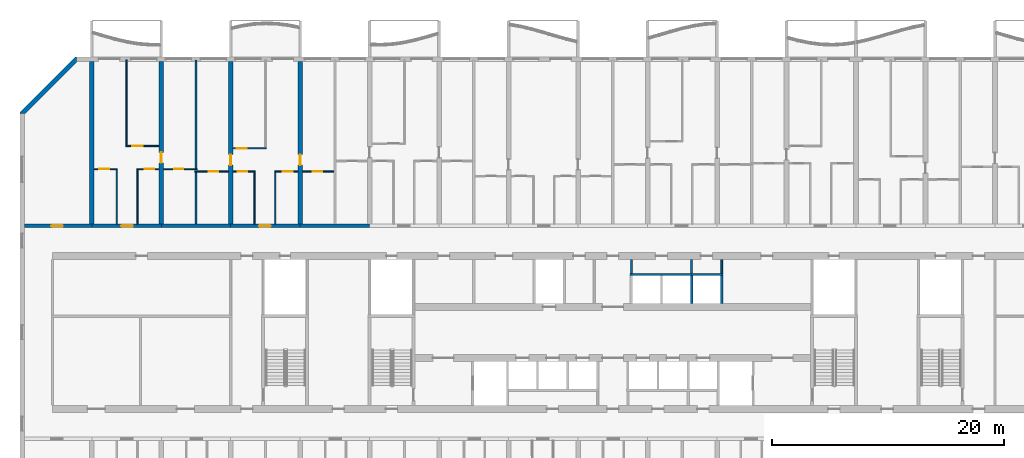
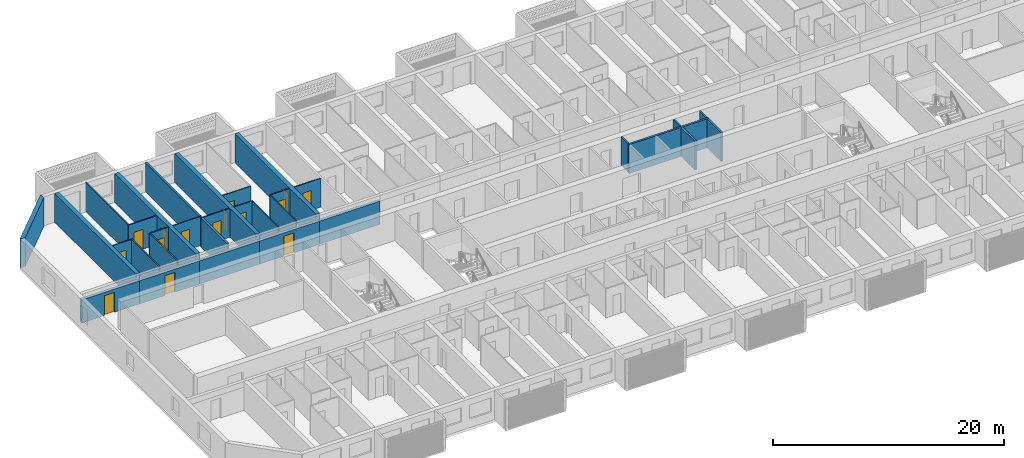
# One storey, part 10 of 38: 32 walls, 15 doors, 15 openings.
"""IFC4 building model written with IfcOpenShell, lengths in metres."""

from ifc_helpers import new_model, si_unit, direction, frame, frame_2d, origin, place, context, subcontext, project, spatial, polyline, rectangle, outline, extrude, material, layer, layer_set, type_object, element, fill, save


model = new_model("IFC4")

# Units and contexts
model_context = context("Model", 3, precision=1e-05, world=origin(), true_north=direction((0.0, 1.0)))
body_context = subcontext(model_context, "Body", "Model", "MODEL_VIEW")
ifc_project = project(units=[si_unit("LENGTHUNIT", "METRE"), si_unit("AREAUNIT", "SQUARE_METRE"), si_unit("VOLUMEUNIT", "CUBIC_METRE"), si_unit("PLANEANGLEUNIT", "RADIAN"), si_unit("MASSUNIT", "GRAM", prefix="KILO")], contexts=[model_context])

# Site, building, storey
site_placement = place(None, origin())
site = spatial("IfcSite", under=ifc_project, at=site_placement, CompositionType="ELEMENT")
building_placement = place(site_placement, origin())
building = spatial("IfcBuilding", under=site, at=building_placement, Name="Poui Terraces", CompositionType="ELEMENT")
storey_placement = place(building_placement, frame((0.0, 0.0, 43.199951171875)))
storey = spatial("IfcBuildingStorey", under=building, at=storey_placement, Name="L11", CompositionType="ELEMENT", Elevation=43.199951171875)

# Wall
ifc_material_1 = material(Name="Fire-rated plasterboard wall")
ifc_layer_1 = layer(ifc_material_1, 0.14990234375)
ifc_layer_set_1 = layer_set([ifc_layer_1], Name="Fire-rated plasterboard wall")
wall_type_1 = type_object("IfcWallType", Name="CORRIDOR WALL 150", PredefinedType="PARTITIONING", material=ifc_layer_set_1)
wall_1_placement = place(storey_placement, frame((52.60009765625, 26.300048828125, 0.0), z_axis=(0.0, 0.0, 1.0), x_axis=(0.0, 1.0, 0.0)))
element("IfcWall", 1, at=wall_1_placement, inside=storey, type_object=wall_type_1, Name="CORRIDOR WALL 150", PredefinedType="PARTITIONING", context=body_context, shape_type="SweptSolid", body=[
    extrude(rectangle(XDim=1.18994140625, YDim=0.14990234375, at=frame_2d((0.594970703125, 0.0))), origin(), (0.0, 0.0, 1.0), 3.050048828125),
])

# Wall, opening, door
ifc_material_2 = material(Name="Concrete 80 MPa", Category="concrete")
ifc_layer_2 = layer(ifc_material_2, 0.300048828125)
ifc_layer_set_2 = layer_set([ifc_layer_2], Name="Concrete 80 MPa")
wall_type_2 = type_object("IfcWallType", Name="CORRIDOR WALL 300 80MPa", PredefinedType="SHEAR", material=ifc_layer_set_2)
wall_2_placement = place(storey_placement, frame((0.199951171875, 30.39990234375, 0.0), z_axis=(0.0, 0.0, 1.0), x_axis=(1.0, 0.0, 0.0)))
wall_2 = element("IfcWall", 2, at=wall_2_placement, inside=storey, type_object=wall_type_2, Name="CORRIDOR WALL LINE E BAY 1", PredefinedType="SHEAR", context=body_context, shape_type="SweptSolid", body=[
    extrude(rectangle(XDim=5.800048828125, YDim=0.300048828125, at=frame_2d((2.89990234375, 0.0))), origin(), (0.0, 0.0, 1.0), 2.449951171875),
])
opening_1_placement = place(wall_2_placement, frame((2.300048828125, 0.0, 0.0)))
opening_1 = element("IfcOpeningElement", 3, at=opening_1_placement, cuts=wall_2, Name="Opening D100", PredefinedType="OPENING", context=body_context, shape_type="SweptSolid", body=[
    extrude(rectangle(XDim=1.0, YDim=2.10009765625, at=frame_2d((0.5, 1.050048828125))), frame((0.0, 0.16015625, 0.0), z_axis=(0.0, -1.0, 0.0), x_axis=(1.0, 0.0, 0.0)), (0.0, 0.0, 1.0), 0.320068359375),
])
ifc_material_3 = material(Name="Solid core timber door", Category="wood")
door_type_1 = type_object("IfcDoorType", Name="ACCESSIBLE INTERNAL DOOR 1000 X 2100", OperationType="NOTDEFINED", PredefinedType="DOOR", material=ifc_material_3)
door_1_placement = place(opening_1_placement, origin())
door_1 = element("IfcDoor", 4, at=door_1_placement, inside=storey, type_object=door_type_1, Name="ACCESSIBLE INTERNAL DOOR 031", OperationType="SINGLE_SWING_LEFT", OverallHeight=2.10009765625, OverallWidth=1.0, PredefinedType="DOOR", context=body_context, shape_type="SweptSolid", body=[
    extrude(rectangle(XDim=1.0, YDim=2.10009765625, at=frame_2d((0.5, 1.050048828125))), frame((0.0, 0.02490234375, 0.0), z_axis=(0.0, -1.0, 0.0), x_axis=(1.0, 0.0, 0.0)), (0.0, 0.0, 1.0), 0.050048828125),
])
fill(opening_1, door_1)

wall_3_placement = place(storey_placement, frame((6.0, 30.39990234375, 0.0), z_axis=(0.0, 0.0, 1.0), x_axis=(1.0, 0.0, 0.0)))
wall_3 = element("IfcWall", 5, at=wall_3_placement, inside=storey, type_object=wall_type_2, Name="CORRIDOR WALL LINE E BAY 2", PredefinedType="SHEAR", context=body_context, shape_type="SweptSolid", body=[
    extrude(rectangle(XDim=6.0, YDim=0.300048828125, at=frame_2d((3.0, 0.0))), origin(), (0.0, 0.0, 1.0), 2.449951171875),
])
opening_2_placement = place(wall_3_placement, frame((2.550048828125, 0.0, 0.0)))
opening_2 = element("IfcOpeningElement", 6, at=opening_2_placement, cuts=wall_3, Name="Opening FD30S", PredefinedType="OPENING", context=body_context, shape_type="SweptSolid", body=[
    extrude(rectangle(XDim=1.0, YDim=2.10009765625, at=frame_2d((0.5, 1.050048828125))), frame((0.0, 0.16015625, 0.0), z_axis=(0.0, -1.0, 0.0), x_axis=(1.0, 0.0, 0.0)), (0.0, 0.0, 1.0), 0.320068359375),
])
ifc_material_4 = material(Name="Steel fire door", Category="steel")
door_type_2 = type_object("IfcDoorType", Name="FLAT ENTRANCE DOOR 1000 X 2100", OperationType="NOTDEFINED", PredefinedType="DOOR", material=ifc_material_4)
door_2_placement = place(opening_2_placement, origin())
door_2 = element("IfcDoor", 7, at=door_2_placement, inside=storey, type_object=door_type_2, Name="FLAT ENTRANCE DOOR 034", OperationType="SINGLE_SWING_RIGHT", OverallHeight=2.10009765625, OverallWidth=1.0, PredefinedType="DOOR", context=body_context, shape_type="SweptSolid", body=[
    extrude(rectangle(XDim=1.0, YDim=2.10009765625, at=frame_2d((0.5, 1.050048828125))), frame((0.0, 0.02490234375, 0.0), z_axis=(0.0, -1.0, 0.0), x_axis=(1.0, 0.0, 0.0)), (0.0, 0.0, 1.0), 0.050048828125),
])
fill(opening_2, door_2)

# Wall
wall_4_placement = place(storey_placement, frame((12.0, 30.39990234375, 0.0), z_axis=(0.0, 0.0, 1.0), x_axis=(1.0, 0.0, 0.0)))
element("IfcWall", 8, at=wall_4_placement, inside=storey, type_object=wall_type_2, Name="CORRIDOR WALL LINE E BAY 3", PredefinedType="SHEAR", context=body_context, shape_type="SweptSolid", body=[
    extrude(rectangle(XDim=6.0, YDim=0.300048828125, at=frame_2d((3.0, 0.0))), origin(), (0.0, 0.0, 1.0), 2.449951171875),
])

# Wall, opening, door
wall_5_placement = place(storey_placement, frame((18.0, 30.39990234375, 0.0), z_axis=(0.0, 0.0, 1.0), x_axis=(1.0, 0.0, 0.0)))
wall_5 = element("IfcWall", 9, at=wall_5_placement, inside=storey, type_object=wall_type_2, Name="CORRIDOR WALL LINE E BAY 4", PredefinedType="SHEAR", context=body_context, shape_type="SweptSolid", body=[
    extrude(rectangle(XDim=6.0, YDim=0.300048828125, at=frame_2d((3.0, 0.0))), origin(), (0.0, 0.0, 1.0), 2.449951171875),
])
opening_3_placement = place(wall_5_placement, frame((2.449951171875, 0.0, 0.0)))
opening_3 = element("IfcOpeningElement", 10, at=opening_3_placement, cuts=wall_5, Name="Opening FD30S", PredefinedType="OPENING", context=body_context, shape_type="SweptSolid", body=[
    extrude(rectangle(XDim=1.0, YDim=2.10009765625, at=frame_2d((0.5, 1.050048828125))), frame((0.0, 0.16015625, 0.0), z_axis=(0.0, -1.0, 0.0), x_axis=(1.0, 0.0, 0.0)), (0.0, 0.0, 1.0), 0.320068359375),
])
door_3_placement = place(opening_3_placement, origin())
door_3 = element("IfcDoor", 11, at=door_3_placement, inside=storey, type_object=door_type_2, Name="FLAT ENTRANCE DOOR 043", OperationType="SINGLE_SWING_LEFT", OverallHeight=2.10009765625, OverallWidth=1.0, PredefinedType="DOOR", context=body_context, shape_type="SweptSolid", body=[
    extrude(rectangle(XDim=1.0, YDim=2.10009765625, at=frame_2d((0.5, 1.050048828125))), frame((0.0, 0.02490234375, 0.0), z_axis=(0.0, -1.0, 0.0), x_axis=(1.0, 0.0, 0.0)), (0.0, 0.0, 1.0), 0.050048828125),
])
fill(opening_3, door_3)

# Walls
wall_6_placement = place(storey_placement, frame((24.0, 30.39990234375, 0.0), z_axis=(0.0, 0.0, 1.0), x_axis=(1.0, 0.0, 0.0)))
element("IfcWall", 12, at=wall_6_placement, inside=storey, type_object=wall_type_2, Name="CORRIDOR WALL LINE E BAY 5", PredefinedType="SHEAR", context=body_context, shape_type="SweptSolid", body=[
    extrude(rectangle(XDim=6.0, YDim=0.300048828125, at=frame_2d((3.0, 0.0))), origin(), (0.0, 0.0, 1.0), 2.449951171875),
])
ifc_layer_3 = layer(ifc_material_2, 0.39990234375)
ifc_layer_set_3 = layer_set([ifc_layer_3], Name="Concrete 80 MPa")
wall_type_3 = type_object("IfcWallType", Name="CROSS WALL 400 80MPa", PredefinedType="SHEAR", material=ifc_layer_set_3)
wall_7_placement = place(storey_placement, frame((6.0, 30.550048828125, 0.0), z_axis=(0.0, 0.0, 1.0), x_axis=(0.0, 1.0, 0.0)))
element("IfcWall", 13, at=wall_7_placement, inside=storey, type_object=wall_type_3, Name="CROSS WALL LINE 2 NORTH", PredefinedType="SHEAR", context=body_context, shape_type="SweptSolid", body=[
    extrude(rectangle(XDim=14.050048828125, YDim=0.39990234375, at=frame_2d((7.02490234375, 0.0))), origin(), (0.0, 0.0, 1.0), 3.050048828125),
])

# Wall, opening, door
wall_8_placement = place(storey_placement, frame((12.0, 30.550048828125, 0.0), z_axis=(0.0, 0.0, 1.0), x_axis=(0.0, 1.0, 0.0)))
wall_8 = element("IfcWall", 14, at=wall_8_placement, inside=storey, type_object=wall_type_3, Name="CROSS WALL LINE 3 NORTH", PredefinedType="SHEAR", context=body_context, shape_type="SweptSolid", body=[
    extrude(rectangle(XDim=14.050048828125, YDim=0.39990234375, at=frame_2d((7.02490234375, 0.0))), origin(), (0.0, 0.0, 1.0), 3.050048828125),
])
opening_4_placement = place(wall_8_placement, frame((5.300048828125, 0.0, 0.0)))
opening_4 = element("IfcOpeningElement", 15, at=opening_4_placement, cuts=wall_8, Name="Opening D90", PredefinedType="OPENING", context=body_context, shape_type="SweptSolid", body=[
    extrude(rectangle(XDim=0.89990234375, YDim=2.10009765625, at=frame_2d((0.449951171875, 1.050048828125))), frame((0.0, 0.2099609375, 0.0), z_axis=(0.0, -1.0, 0.0), x_axis=(1.0, 0.0, 0.0)), (0.0, 0.0, 1.0), 0.419921875),
])
door_type_3 = type_object("IfcDoorType", Name="INTERNAL DOOR 900 X 2100", OperationType="NOTDEFINED", PredefinedType="DOOR", material=ifc_material_3)
door_4_placement = place(opening_4_placement, frame((0.89990234375, 0.0, 0.0), z_axis=(0.0, 0.0, 1.0), x_axis=(-1.0, 0.0, 0.0)))
door_4 = element("IfcDoor", 16, at=door_4_placement, inside=storey, type_object=door_type_3, Name="INTERNAL DOOR 037", OperationType="SINGLE_SWING_RIGHT", OverallHeight=2.10009765625, OverallWidth=0.89990234375, PredefinedType="DOOR", context=body_context, shape_type="SweptSolid", body=[
    extrude(rectangle(XDim=0.89990234375, YDim=2.10009765625, at=frame_2d((0.449951171875, 1.050048828125))), frame((0.0, 0.02490234375, 0.0), z_axis=(0.0, -1.0, 0.0), x_axis=(1.0, 0.0, 0.0)), (0.0, 0.0, 1.0), 0.050048828125),
])
fill(opening_4, door_4)

wall_9_placement = place(storey_placement, frame((18.0, 30.550048828125, 0.0), z_axis=(0.0, 0.0, 1.0), x_axis=(0.0, 1.0, 0.0)))
wall_9 = element("IfcWall", 17, at=wall_9_placement, inside=storey, type_object=wall_type_3, Name="CROSS WALL LINE 4 NORTH", PredefinedType="SHEAR", context=body_context, shape_type="SweptSolid", body=[
    extrude(rectangle(XDim=14.050048828125, YDim=0.39990234375, at=frame_2d((7.02490234375, 0.0))), origin(), (0.0, 0.0, 1.0), 3.050048828125),
])
opening_5_placement = place(wall_9_placement, frame((5.10009765625, 0.0, 0.0)))
opening_5 = element("IfcOpeningElement", 18, at=opening_5_placement, cuts=wall_9, Name="Opening D90", PredefinedType="OPENING", context=body_context, shape_type="SweptSolid", body=[
    extrude(rectangle(XDim=0.89990234375, YDim=2.10009765625, at=frame_2d((0.449951171875, 1.050048828125))), frame((0.0, 0.2099609375, 0.0), z_axis=(0.0, -1.0, 0.0), x_axis=(1.0, 0.0, 0.0)), (0.0, 0.0, 1.0), 0.419921875),
])
door_5_placement = place(opening_5_placement, origin())
door_5 = element("IfcDoor", 19, at=door_5_placement, inside=storey, type_object=door_type_3, Name="INTERNAL DOOR 040", OperationType="SINGLE_SWING_LEFT", OverallHeight=2.10009765625, OverallWidth=0.89990234375, PredefinedType="DOOR", context=body_context, shape_type="SweptSolid", body=[
    extrude(rectangle(XDim=0.89990234375, YDim=2.10009765625, at=frame_2d((0.449951171875, 1.050048828125))), frame((0.0, 0.02490234375, 0.0), z_axis=(0.0, -1.0, 0.0), x_axis=(1.0, 0.0, 0.0)), (0.0, 0.0, 1.0), 0.050048828125),
])
fill(opening_5, door_5)

wall_10_placement = place(storey_placement, frame((24.0, 30.550048828125, 0.0), z_axis=(0.0, 0.0, 1.0), x_axis=(0.0, 1.0, 0.0)))
wall_10 = element("IfcWall", 20, at=wall_10_placement, inside=storey, type_object=wall_type_3, Name="CROSS WALL LINE 5 NORTH", PredefinedType="SHEAR", context=body_context, shape_type="SweptSolid", body=[
    extrude(rectangle(XDim=14.050048828125, YDim=0.39990234375, at=frame_2d((7.02490234375, 0.0))), origin(), (0.0, 0.0, 1.0), 3.050048828125),
])
opening_6_placement = place(wall_10_placement, frame((5.10009765625, 0.0, 0.0)))
opening_6 = element("IfcOpeningElement", 21, at=opening_6_placement, cuts=wall_10, Name="Opening D90", PredefinedType="OPENING", context=body_context, shape_type="SweptSolid", body=[
    extrude(rectangle(XDim=0.89990234375, YDim=2.10009765625, at=frame_2d((0.449951171875, 1.050048828125))), frame((0.0, 0.2099609375, 0.0), z_axis=(0.0, -1.0, 0.0), x_axis=(1.0, 0.0, 0.0)), (0.0, 0.0, 1.0), 0.419921875),
])
door_6_placement = place(opening_6_placement, frame((0.89990234375, 0.0, 0.0), z_axis=(0.0, 0.0, 1.0), x_axis=(-1.0, 0.0, 0.0)))
door_6 = element("IfcDoor", 22, at=door_6_placement, inside=storey, type_object=door_type_3, Name="INTERNAL DOOR 045", OperationType="SINGLE_SWING_RIGHT", OverallHeight=2.10009765625, OverallWidth=0.89990234375, PredefinedType="DOOR", context=body_context, shape_type="SweptSolid", body=[
    extrude(rectangle(XDim=0.89990234375, YDim=2.10009765625, at=frame_2d((0.449951171875, 1.050048828125))), frame((0.0, 0.02490234375, 0.0), z_axis=(0.0, -1.0, 0.0), x_axis=(1.0, 0.0, 0.0)), (0.0, 0.0, 1.0), 0.050048828125),
])
fill(opening_6, door_6)

ifc_material_5 = material(Name="Plasterboard partition")
ifc_layer_4 = layer(ifc_material_5, 0.10009765625)
ifc_layer_set_4 = layer_set([ifc_layer_4], Name="Plasterboard partition")
wall_type_4 = type_object("IfcWallType", Name="FLAT PARTITION 100", PredefinedType="PARTITIONING", material=ifc_layer_set_4)
wall_11_placement = place(storey_placement, frame((14.89990234375, 35.10009765625, 0.0), z_axis=(0.0, 0.0, 1.0), x_axis=(1.0, 0.0, 0.0)))
wall_11 = element("IfcWall", 23, at=wall_11_placement, inside=storey, type_object=wall_type_4, Name="FLAT PARTITION 100", PredefinedType="PARTITIONING", context=body_context, shape_type="SweptSolid", body=[
    extrude(rectangle(XDim=2.89013671875, YDim=0.10009765625, at=frame_2d((1.445068359375, 0.0))), origin(), (0.0, 0.0, 1.0), 3.050048828125),
])
opening_7_placement = place(wall_11_placement, frame((1.199951171875, 0.0, 0.0)))
opening_7 = element("IfcOpeningElement", 24, at=opening_7_placement, cuts=wall_11, Name="Opening D80", PredefinedType="OPENING", context=body_context, shape_type="SweptSolid", body=[
    extrude(rectangle(XDim=0.800048828125, YDim=2.10009765625, at=frame_2d((0.39990234375, 1.050048828125))), frame((0.0, 0.06005859375, 0.0), z_axis=(0.0, -1.0, 0.0), x_axis=(1.0, 0.0, 0.0)), (0.0, 0.0, 1.0), 0.1201171875),
])
door_type_4 = type_object("IfcDoorType", Name="BATHROOM, LAUNDRY AND STORE DOOR 800 X 2100", OperationType="NOTDEFINED", PredefinedType="DOOR", material=ifc_material_3)
door_7_placement = place(opening_7_placement, frame((0.800048828125, 0.0, 0.0), z_axis=(0.0, 0.0, 1.0), x_axis=(-1.0, 0.0, 0.0)))
door_7 = element("IfcDoor", 25, at=door_7_placement, inside=storey, type_object=door_type_4, Name="BATHROOM, LAUNDRY AND STORE DOOR 038", OperationType="SINGLE_SWING_RIGHT", OverallHeight=2.10009765625, OverallWidth=0.800048828125, PredefinedType="DOOR", context=body_context, shape_type="SweptSolid", body=[
    extrude(rectangle(XDim=0.800048828125, YDim=2.10009765625, at=frame_2d((0.39990234375, 1.050048828125))), frame((0.0, 0.02490234375, 0.0), z_axis=(0.0, -1.0, 0.0), x_axis=(1.0, 0.0, 0.0)), (0.0, 0.0, 1.0), 0.050048828125),
])
fill(opening_7, door_7)

wall_12_placement = place(storey_placement, frame((18.2099609375, 35.10009765625, 0.0), z_axis=(0.0, 0.0, 1.0), x_axis=(1.0, 0.0, 0.0)))
wall_12 = element("IfcWall", 26, at=wall_12_placement, inside=storey, type_object=wall_type_4, Name="FLAT PARTITION 100", PredefinedType="PARTITIONING", context=body_context, shape_type="SweptSolid", body=[
    extrude(rectangle(XDim=1.89013671875, YDim=0.10009765625, at=frame_2d((0.945068359375, 0.0))), origin(), (0.0, 0.0, 1.0), 3.050048828125),
])
opening_8_placement = place(wall_12_placement, frame((0.4150390625, 0.0, 0.0)))
opening_8 = element("IfcOpeningElement", 27, at=opening_8_placement, cuts=wall_12, Name="Opening D80", PredefinedType="OPENING", context=body_context, shape_type="SweptSolid", body=[
    extrude(rectangle(XDim=0.800048828125, YDim=2.10009765625, at=frame_2d((0.39990234375, 1.050048828125))), frame((0.0, 0.06005859375, 0.0), z_axis=(0.0, -1.0, 0.0), x_axis=(1.0, 0.0, 0.0)), (0.0, 0.0, 1.0), 0.1201171875),
])
door_8_placement = place(opening_8_placement, frame((0.800048828125, 0.0, 0.0), z_axis=(0.0, 0.0, 1.0), x_axis=(-1.0, 0.0, 0.0)))
door_8 = element("IfcDoor", 28, at=door_8_placement, inside=storey, type_object=door_type_4, Name="BATHROOM, LAUNDRY AND STORE DOOR 042", OperationType="SINGLE_SWING_RIGHT", OverallHeight=2.10009765625, OverallWidth=0.800048828125, PredefinedType="DOOR", context=body_context, shape_type="SweptSolid", body=[
    extrude(rectangle(XDim=0.800048828125, YDim=2.10009765625, at=frame_2d((0.39990234375, 1.050048828125))), frame((0.0, 0.02490234375, 0.0), z_axis=(0.0, -1.0, 0.0), x_axis=(1.0, 0.0, 0.0)), (0.0, 0.0, 1.0), 0.050048828125),
])
fill(opening_8, door_8)

wall_13_placement = place(storey_placement, frame((21.800048828125, 35.10009765625, 0.0), z_axis=(0.0, 0.0, 1.0), x_axis=(1.0, 0.0, 0.0)))
wall_13 = element("IfcWall", 29, at=wall_13_placement, inside=storey, type_object=wall_type_4, Name="FLAT PARTITION 100", PredefinedType="PARTITIONING", context=body_context, shape_type="SweptSolid", body=[
    extrude(rectangle(XDim=1.989990234375, YDim=0.10009765625, at=frame_2d((0.9951171875, 0.0))), origin(), (0.0, 0.0, 1.0), 3.050048828125),
])
opening_9_placement = place(wall_13_placement, frame((0.675048828125, 0.0, 0.0)))
opening_9 = element("IfcOpeningElement", 30, at=opening_9_placement, cuts=wall_13, Name="Opening D90", PredefinedType="OPENING", context=body_context, shape_type="SweptSolid", body=[
    extrude(rectangle(XDim=0.89990234375, YDim=2.10009765625, at=frame_2d((0.449951171875, 1.050048828125))), frame((0.0, 0.06005859375, 0.0), z_axis=(0.0, -1.0, 0.0), x_axis=(1.0, 0.0, 0.0)), (0.0, 0.0, 1.0), 0.1201171875),
])
door_9_placement = place(opening_9_placement, frame((0.89990234375, 0.0, 0.0), z_axis=(0.0, 0.0, 1.0), x_axis=(-1.0, 0.0, 0.0)))
door_9 = element("IfcDoor", 31, at=door_9_placement, inside=storey, type_object=door_type_3, Name="INTERNAL DOOR 044", OperationType="SINGLE_SWING_LEFT", OverallHeight=2.10009765625, OverallWidth=0.89990234375, PredefinedType="DOOR", context=body_context, shape_type="SweptSolid", body=[
    extrude(rectangle(XDim=0.89990234375, YDim=2.10009765625, at=frame_2d((0.449951171875, 1.050048828125))), frame((0.0, 0.02490234375, 0.0), z_axis=(0.0, -1.0, 0.0), x_axis=(1.0, 0.0, 0.0)), (0.0, 0.0, 1.0), 0.050048828125),
])
fill(opening_9, door_9)

wall_14_placement = place(storey_placement, frame((24.2099609375, 35.10009765625, 0.0), z_axis=(0.0, 0.0, 1.0), x_axis=(1.0, 0.0, 0.0)))
wall_14 = element("IfcWall", 32, at=wall_14_placement, inside=storey, type_object=wall_type_4, Name="FLAT PARTITION 100", PredefinedType="PARTITIONING", context=body_context, shape_type="SweptSolid", body=[
    extrude(rectangle(XDim=2.68994140625, YDim=0.10009765625, at=frame_2d((1.344970703125, 0.0))), origin(), (0.0, 0.0, 1.0), 3.050048828125),
])
opening_10_placement = place(wall_14_placement, frame((0.889892578125, 0.0, 0.0)))
opening_10 = element("IfcOpeningElement", 33, at=opening_10_placement, cuts=wall_14, Name="Opening D80", PredefinedType="OPENING", context=body_context, shape_type="SweptSolid", body=[
    extrude(rectangle(XDim=0.800048828125, YDim=2.10009765625, at=frame_2d((0.39990234375, 1.050048828125))), frame((0.0, 0.06005859375, 0.0), z_axis=(0.0, -1.0, 0.0), x_axis=(1.0, 0.0, 0.0)), (0.0, 0.0, 1.0), 0.1201171875),
])
door_10_placement = place(opening_10_placement, frame((0.800048828125, 0.0, 0.0), z_axis=(0.0, 0.0, 1.0), x_axis=(-1.0, 0.0, 0.0)))
door_10 = element("IfcDoor", 34, at=door_10_placement, inside=storey, type_object=door_type_4, Name="BATHROOM, LAUNDRY AND STORE DOOR 039", OperationType="SINGLE_SWING_RIGHT", OverallHeight=2.10009765625, OverallWidth=0.800048828125, PredefinedType="DOOR", context=body_context, shape_type="SweptSolid", body=[
    extrude(rectangle(XDim=0.800048828125, YDim=2.10009765625, at=frame_2d((0.39990234375, 1.050048828125))), frame((0.0, 0.02490234375, 0.0), z_axis=(0.0, -1.0, 0.0), x_axis=(1.0, 0.0, 0.0)), (0.0, 0.0, 1.0), 0.050048828125),
])
fill(opening_10, door_10)

wall_15_placement = place(storey_placement, frame((6.2099609375, 35.300048828125, 0.0), z_axis=(0.0, 0.0, 1.0), x_axis=(1.0, 0.0, 0.0)))
wall_15 = element("IfcWall", 35, at=wall_15_placement, inside=storey, type_object=wall_type_4, Name="FLAT PARTITION 100", PredefinedType="PARTITIONING", context=body_context, shape_type="SweptSolid", body=[
    extrude(rectangle(XDim=1.989990234375, YDim=0.10009765625, at=frame_2d((0.9951171875, 0.0))), origin(), (0.0, 0.0, 1.0), 3.050048828125),
])
opening_11_placement = place(wall_15_placement, frame((0.4150390625, 0.0, 0.0)))
opening_11 = element("IfcOpeningElement", 36, at=opening_11_placement, cuts=wall_15, Name="Opening D90", PredefinedType="OPENING", context=body_context, shape_type="SweptSolid", body=[
    extrude(rectangle(XDim=0.89990234375, YDim=2.10009765625, at=frame_2d((0.449951171875, 1.050048828125))), frame((0.0, 0.06005859375, 0.0), z_axis=(0.0, -1.0, 0.0), x_axis=(1.0, 0.0, 0.0)), (0.0, 0.0, 1.0), 0.1201171875),
])
door_11_placement = place(opening_11_placement, frame((0.89990234375, 0.0, 0.0), z_axis=(0.0, 0.0, 1.0), x_axis=(-1.0, 0.0, 0.0)))
door_11 = element("IfcDoor", 37, at=door_11_placement, inside=storey, type_object=door_type_3, Name="INTERNAL DOOR 033", OperationType="SINGLE_SWING_LEFT", OverallHeight=2.10009765625, OverallWidth=0.89990234375, PredefinedType="DOOR", context=body_context, shape_type="SweptSolid", body=[
    extrude(rectangle(XDim=0.89990234375, YDim=2.10009765625, at=frame_2d((0.449951171875, 1.050048828125))), frame((0.0, 0.02490234375, 0.0), z_axis=(0.0, -1.0, 0.0), x_axis=(1.0, 0.0, 0.0)), (0.0, 0.0, 1.0), 0.050048828125),
])
fill(opening_11, door_11)

wall_16_placement = place(storey_placement, frame((9.89990234375, 35.300048828125, 0.0), z_axis=(0.0, 0.0, 1.0), x_axis=(1.0, 0.0, 0.0)))
wall_16 = element("IfcWall", 38, at=wall_16_placement, inside=storey, type_object=wall_type_4, Name="FLAT PARTITION 100", PredefinedType="PARTITIONING", context=body_context, shape_type="SweptSolid", body=[
    extrude(rectangle(XDim=1.89013671875, YDim=0.10009765625, at=frame_2d((0.945068359375, 0.0))), origin(), (0.0, 0.0, 1.0), 3.050048828125),
])
opening_12_placement = place(wall_16_placement, frame((0.675048828125, 0.0, 0.0)))
opening_12 = element("IfcOpeningElement", 39, at=opening_12_placement, cuts=wall_16, Name="Opening D80", PredefinedType="OPENING", context=body_context, shape_type="SweptSolid", body=[
    extrude(rectangle(XDim=0.800048828125, YDim=2.10009765625, at=frame_2d((0.39990234375, 1.050048828125))), frame((0.0, 0.06005859375, 0.0), z_axis=(0.0, -1.0, 0.0), x_axis=(1.0, 0.0, 0.0)), (0.0, 0.0, 1.0), 0.1201171875),
])
door_12_placement = place(opening_12_placement, frame((0.800048828125, 0.0, 0.0), z_axis=(0.0, 0.0, 1.0), x_axis=(-1.0, 0.0, 0.0)))
door_12 = element("IfcDoor", 40, at=door_12_placement, inside=storey, type_object=door_type_4, Name="BATHROOM, LAUNDRY AND STORE DOOR 036", OperationType="SINGLE_SWING_RIGHT", OverallHeight=2.10009765625, OverallWidth=0.800048828125, PredefinedType="DOOR", context=body_context, shape_type="SweptSolid", body=[
    extrude(rectangle(XDim=0.800048828125, YDim=2.10009765625, at=frame_2d((0.39990234375, 1.050048828125))), frame((0.0, 0.02490234375, 0.0), z_axis=(0.0, -1.0, 0.0), x_axis=(1.0, 0.0, 0.0)), (0.0, 0.0, 1.0), 0.050048828125),
])
fill(opening_12, door_12)

wall_17_placement = place(storey_placement, frame((12.2099609375, 35.300048828125, 0.0), z_axis=(0.0, 0.0, 1.0), x_axis=(1.0, 0.0, 0.0)))
wall_17 = element("IfcWall", 41, at=wall_17_placement, inside=storey, type_object=wall_type_4, Name="FLAT PARTITION 100", PredefinedType="PARTITIONING", context=body_context, shape_type="SweptSolid", body=[
    extrude(rectangle(XDim=2.89013671875, YDim=0.10009765625, at=frame_2d((1.445068359375, 0.0))), origin(), (0.0, 0.0, 1.0), 3.050048828125),
])
opening_13_placement = place(wall_17_placement, frame((0.889892578125, 0.0, 0.0)))
opening_13 = element("IfcOpeningElement", 42, at=opening_13_placement, cuts=wall_17, Name="Opening D80", PredefinedType="OPENING", context=body_context, shape_type="SweptSolid", body=[
    extrude(rectangle(XDim=0.800048828125, YDim=2.10009765625, at=frame_2d((0.39990234375, 1.050048828125))), frame((0.0, 0.06005859375, 0.0), z_axis=(0.0, -1.0, 0.0), x_axis=(1.0, 0.0, 0.0)), (0.0, 0.0, 1.0), 0.1201171875),
])
door_13_placement = place(opening_13_placement, frame((0.800048828125, 0.0, 0.0), z_axis=(0.0, 0.0, 1.0), x_axis=(-1.0, 0.0, 0.0)))
door_13 = element("IfcDoor", 43, at=door_13_placement, inside=storey, type_object=door_type_4, Name="BATHROOM, LAUNDRY AND STORE DOOR 032", OperationType="SINGLE_SWING_LEFT", OverallHeight=2.10009765625, OverallWidth=0.800048828125, PredefinedType="DOOR", context=body_context, shape_type="SweptSolid", body=[
    extrude(rectangle(XDim=0.800048828125, YDim=2.10009765625, at=frame_2d((0.39990234375, 1.050048828125))), frame((0.0, 0.02490234375, 0.0), z_axis=(0.0, -1.0, 0.0), x_axis=(1.0, 0.0, 0.0)), (0.0, 0.0, 1.0), 0.050048828125),
])
fill(opening_13, door_13)

wall_18_placement = place(storey_placement, frame((18.2099609375, 37.10009765625, 0.0), z_axis=(0.0, 0.0, 1.0), x_axis=(1.0, 0.0, 0.0)))
wall_18 = element("IfcWall", 44, at=wall_18_placement, inside=storey, type_object=wall_type_4, Name="FLAT PARTITION 100", PredefinedType="PARTITIONING", context=body_context, shape_type="SweptSolid", body=[
    extrude(rectangle(XDim=2.840087890625, YDim=0.10009765625, at=frame_2d((1.419921875, 0.0))), origin(), (0.0, 0.0, 1.0), 3.050048828125),
])
opening_14_placement = place(wall_18_placement, frame((0.2900390625, 0.0, 0.0)))
opening_14 = element("IfcOpeningElement", 45, at=opening_14_placement, cuts=wall_18, Name="Opening D90", PredefinedType="OPENING", context=body_context, shape_type="SweptSolid", body=[
    extrude(rectangle(XDim=0.89990234375, YDim=2.10009765625, at=frame_2d((0.449951171875, 1.050048828125))), frame((0.0, 0.06005859375, 0.0), z_axis=(0.0, -1.0, 0.0), x_axis=(1.0, 0.0, 0.0)), (0.0, 0.0, 1.0), 0.1201171875),
])
door_14_placement = place(opening_14_placement, frame((0.89990234375, 0.0, 0.0), z_axis=(0.0, 0.0, 1.0), x_axis=(-1.0, 0.0, 0.0)))
door_14 = element("IfcDoor", 46, at=door_14_placement, inside=storey, type_object=door_type_3, Name="INTERNAL DOOR 041", OperationType="SINGLE_SWING_LEFT", OverallHeight=2.10009765625, OverallWidth=0.89990234375, PredefinedType="DOOR", context=body_context, shape_type="SweptSolid", body=[
    extrude(rectangle(XDim=0.89990234375, YDim=2.10009765625, at=frame_2d((0.449951171875, 1.050048828125))), frame((0.0, 0.02490234375, 0.0), z_axis=(0.0, -1.0, 0.0), x_axis=(1.0, 0.0, 0.0)), (0.0, 0.0, 1.0), 0.050048828125),
])
fill(opening_14, door_14)

wall_19_placement = place(storey_placement, frame((8.949951171875, 37.300048828125, 0.0), z_axis=(0.0, 0.0, 1.0), x_axis=(1.0, 0.0, 0.0)))
wall_19 = element("IfcWall", 47, at=wall_19_placement, inside=storey, type_object=wall_type_4, Name="FLAT PARTITION 100", PredefinedType="PARTITIONING", context=body_context, shape_type="SweptSolid", body=[
    extrude(rectangle(XDim=2.840087890625, YDim=0.10009765625, at=frame_2d((1.419921875, 0.0))), origin(), (0.0, 0.0, 1.0), 3.050048828125),
])
opening_15_placement = place(wall_19_placement, frame((0.550048828125, 0.0, 0.0)))
opening_15 = element("IfcOpeningElement", 48, at=opening_15_placement, cuts=wall_19, Name="Opening D90", PredefinedType="OPENING", context=body_context, shape_type="SweptSolid", body=[
    extrude(rectangle(XDim=0.89990234375, YDim=2.10009765625, at=frame_2d((0.449951171875, 1.050048828125))), frame((0.0, 0.06005859375, 0.0), z_axis=(0.0, -1.0, 0.0), x_axis=(1.0, 0.0, 0.0)), (0.0, 0.0, 1.0), 0.1201171875),
])
door_15_placement = place(opening_15_placement, frame((0.89990234375, 0.0, 0.0), z_axis=(0.0, 0.0, 1.0), x_axis=(-1.0, 0.0, 0.0)))
door_15 = element("IfcDoor", 49, at=door_15_placement, inside=storey, type_object=door_type_3, Name="INTERNAL DOOR 035", OperationType="SINGLE_SWING_LEFT", OverallHeight=2.10009765625, OverallWidth=0.89990234375, PredefinedType="DOOR", context=body_context, shape_type="SweptSolid", body=[
    extrude(rectangle(XDim=0.89990234375, YDim=2.10009765625, at=frame_2d((0.449951171875, 1.050048828125))), frame((0.0, 0.02490234375, 0.0), z_axis=(0.0, -1.0, 0.0), x_axis=(1.0, 0.0, 0.0)), (0.0, 0.0, 1.0), 0.050048828125),
])
fill(opening_15, door_15)

# Walls
wall_20_placement = place(storey_placement, frame((8.14990234375, 30.56005859375, 0.0), z_axis=(0.0, 0.0, 1.0), x_axis=(0.0, 1.0, 0.0)))
element("IfcWall", 50, at=wall_20_placement, inside=storey, type_object=wall_type_4, Name="FLAT PARTITION 100", PredefinedType="PARTITIONING", context=body_context, shape_type="SweptSolid", body=[
    extrude(rectangle(XDim=4.68994140625, YDim=0.10009765625, at=frame_2d((2.344970703125, 0.0))), origin(), (0.0, 0.0, 1.0), 3.050048828125),
])
wall_21_placement = place(storey_placement, frame((9.0, 37.35009765625, 0.0), z_axis=(0.0, 0.0, 1.0), x_axis=(0.0, 1.0, 0.0)))
element("IfcWall", 51, at=wall_21_placement, inside=storey, type_object=wall_type_4, Name="FLAT PARTITION 100", PredefinedType="PARTITIONING", context=body_context, shape_type="SweptSolid", body=[
    extrude(rectangle(XDim=7.389892578125, YDim=0.10009765625, at=frame_2d((3.69482421875, 0.0))), origin(), (0.0, 0.0, 1.0), 3.050048828125),
])
wall_22_placement = place(storey_placement, frame((9.949951171875, 30.56005859375, 0.0), z_axis=(0.0, 0.0, 1.0), x_axis=(0.0, 1.0, 0.0)))
element("IfcWall", 52, at=wall_22_placement, inside=storey, type_object=wall_type_4, Name="FLAT PARTITION 100", PredefinedType="PARTITIONING", context=body_context, shape_type="SweptSolid", body=[
    extrude(rectangle(XDim=4.68994140625, YDim=0.10009765625, at=frame_2d((2.344970703125, 0.0))), origin(), (0.0, 0.0, 1.0), 3.050048828125),
])
for number, where, z_axis, x_axis, name in (
    (53, (20.050048828125, 30.56005859375, 0.0), (0.0, 0.0, 1.0), (0.0, 1.0, 0.0), "FLAT PARTITION 100"),
    (54, (21.85009765625, 30.56005859375, 0.0), (0.0, 0.0, 1.0), (0.0, 1.0, 0.0), "FLAT PARTITION 100"),
):
    element("IfcWall", number, at=place(storey_placement, frame(where, z_axis=z_axis, x_axis=x_axis)), inside=storey, type_object=wall_type_4, Name=name, PredefinedType="PARTITIONING", context=body_context, shape_type="SweptSolid", body=[
        extrude(rectangle(XDim=4.489990234375, YDim=0.10009765625, at=frame_2d((2.2451171875, 0.0))), origin(), (0.0, 0.0, 1.0), 3.050048828125),
    ])
ifc_material_6 = material(Name="Fire-rated masonry wall", Category="masonry")
ifc_layer_5 = layer(ifc_material_6, 0.199951171875)
ifc_layer_set_5 = layer_set([ifc_layer_5], Name="Fire-rated masonry wall")
wall_type_5 = type_object("IfcWallType", Name="FLAT PARTY WALL 200", PredefinedType="PARTITIONING", material=ifc_layer_set_5)
wall_23_placement = place(storey_placement, frame((15.0, 30.56005859375, 0.0), z_axis=(0.0, 0.0, 1.0), x_axis=(0.0, 1.0, 0.0)))
element("IfcWall", 55, at=wall_23_placement, inside=storey, type_object=wall_type_5, Name="FLAT PARTY WALL 200", PredefinedType="PARTITIONING", context=body_context, shape_type="SweptSolid", body=[
    extrude(rectangle(XDim=4.489990234375, YDim=0.199951171875, at=frame_2d((2.2451171875, 0.0))), origin(), (0.0, 0.0, 1.0), 3.050048828125),
])
wall_24_placement = place(storey_placement, frame((15.0, 35.35009765625, 0.0), z_axis=(0.0, 0.0, 1.0), x_axis=(0.0, 1.0, 0.0)))
element("IfcWall", 56, at=wall_24_placement, inside=storey, type_object=wall_type_5, Name="FLAT PARTY WALL 200", PredefinedType="PARTITIONING", context=body_context, shape_type="SweptSolid", body=[
    extrude(rectangle(XDim=9.389892578125, YDim=0.199951171875, at=frame_2d((4.69482421875, 0.0))), origin(), (0.0, 0.0, 1.0), 3.050048828125),
])
ifc_layer_6 = layer(ifc_material_5, 0.14990234375)
ifc_layer_set_6 = layer_set([ifc_layer_6], Name="Plasterboard partition")
wall_type_6 = type_object("IfcWallType", Name="PARTITION WALL 150", PredefinedType="PARTITIONING", material=ifc_layer_set_6)
for number, where, z_axis, x_axis, name in (
    (57, (57.800048828125, 26.300048828125, 0.0), (0.0, 0.0, 1.0), (0.0, 1.0, 0.0), "PARTITION WALL 150"),
    (58, (60.39990234375, 26.300048828125, 0.0), (0.0, 0.0, 1.0), (0.0, 1.0, 0.0), "PARTITION WALL 150"),
):
    element("IfcWall", number, at=place(storey_placement, frame(where, z_axis=z_axis, x_axis=x_axis)), inside=storey, type_object=wall_type_6, Name=name, PredefinedType="PARTITIONING", context=body_context, shape_type="SweptSolid", body=[
        extrude(rectangle(XDim=1.18994140625, YDim=0.14990234375, at=frame_2d((0.594970703125, 0.0))), origin(), (0.0, 0.0, 1.0), 3.050048828125),
    ])
ifc_material_7 = material(Name="Fire-rated masonry shaft wall", Category="masonry")
ifc_layer_7 = layer(ifc_material_7, 0.199951171875)
ifc_layer_set_7 = layer_set([ifc_layer_7], Name="Fire-rated masonry shaft wall")
wall_type_7 = type_object("IfcWallType", Name="SHAFT WALL 200", PredefinedType="PARTITIONING", material=ifc_layer_set_7)
wall_25_placement = place(storey_placement, frame((52.5, 26.199951171875, 0.0), z_axis=(0.0, 0.0, 1.0), x_axis=(1.0, 0.0, 0.0)))
element("IfcWall", 59, at=wall_25_placement, inside=storey, type_object=wall_type_7, Name="SHAFT WALL 200", PredefinedType="PARTITIONING", context=body_context, shape_type="SweptSolid", body=[
    extrude(rectangle(XDim=8.0, YDim=0.199951171875, at=frame_2d((4.0, 0.0))), origin(), (0.0, 0.0, 1.0), 3.050048828125),
])
for number, where, z_axis, x_axis, name in (
    (60, (57.800048828125, 23.7099609375, 0.0), (0.0, 0.0, 1.0), (0.0, 1.0, 0.0), "SHAFT WALL 200"),
    (61, (60.39990234375, 23.7099609375, 0.0), (0.0, 0.0, 1.0), (0.0, 1.0, 0.0), "SHAFT WALL 200"),
):
    element("IfcWall", number, at=place(storey_placement, frame(where, z_axis=z_axis, x_axis=x_axis)), inside=storey, type_object=wall_type_7, Name=name, PredefinedType="PARTITIONING", context=body_context, shape_type="SweptSolid", body=[
        extrude(rectangle(XDim=2.39013671875, YDim=0.199951171875, at=frame_2d((1.195068359375, 0.0))), origin(), (0.0, 0.0, 1.0), 3.050048828125),
    ])
ifc_material_8 = material(Name="Precast concrete 40 MPa", Category="concrete")
ifc_layer_8 = layer(ifc_material_8, 0.39990234375)
ifc_layer_set_8 = layer_set([ifc_layer_8], Name="Precast concrete 40 MPa")
wall_type_8 = type_object("IfcWallType", Name="TERRACOTTA CLAD CHAMFER WALL 400", PredefinedType="STANDARD", material=ifc_layer_set_8)
wall_26_placement = place(storey_placement, origin())
element("IfcWall", 62, at=wall_26_placement, inside=storey, type_object=wall_type_8, Name="CHAMFER WALL CH05", PredefinedType="STANDARD", context=body_context, shape_type="SweptSolid", body=[
    extrude(outline(polyline([(4.682861328125, 45.0), (4.60009765625, 45.0), (-0.199951171875, 40.199951171875), (-0.199951171875, 40.1171875), (0.28271484375, 40.1171875), (4.682861328125, 44.51708984375), (4.682861328125, 45.0)])), origin(), (0.0, 0.0, 1.0), 3.050048828125),
])

save(model, "model.ifc")
